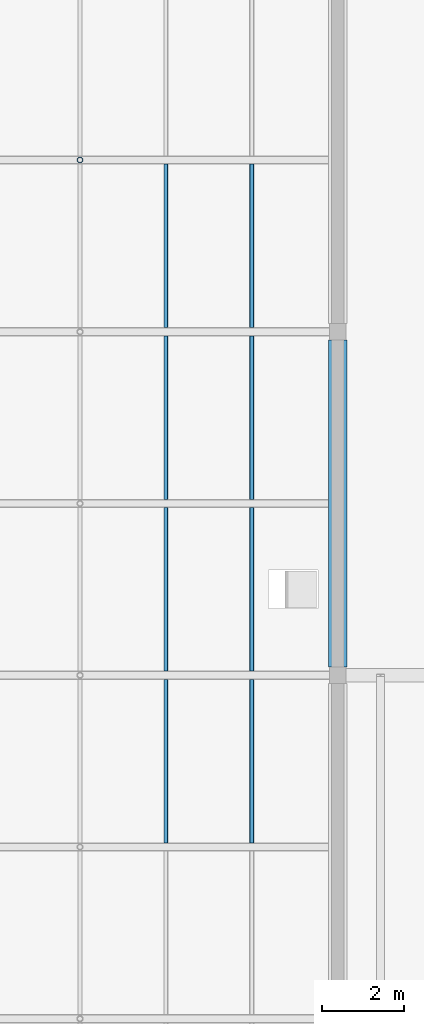
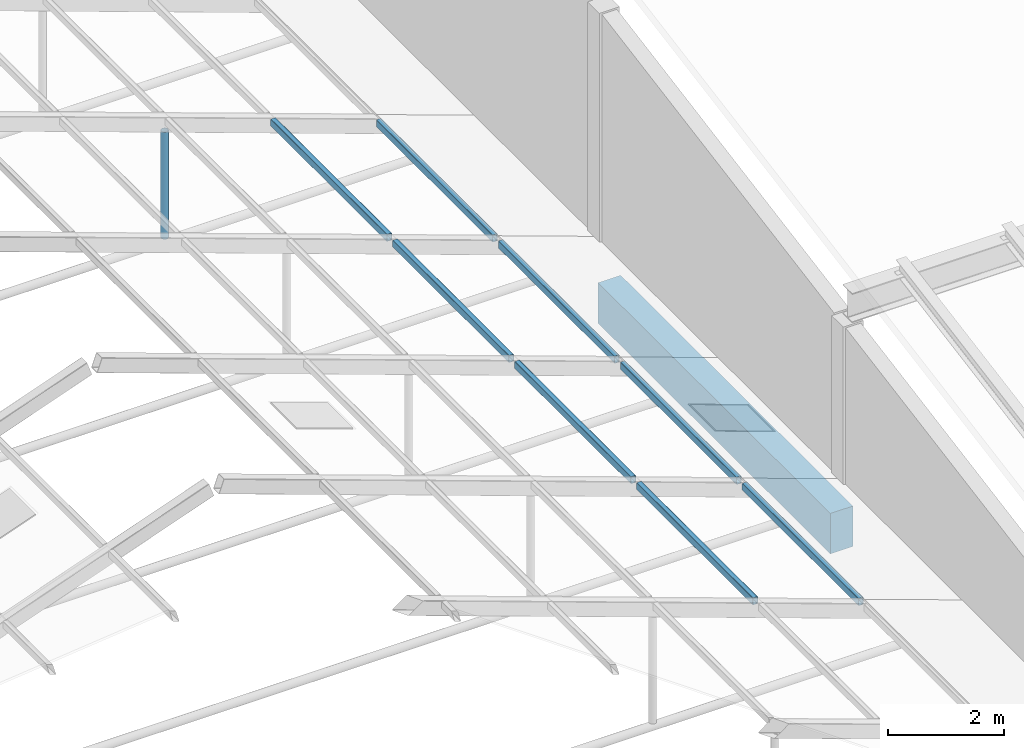
# One storey, part 52 of 116: 9 members, 1 beam.
"""IFC4 building model written with IfcOpenShell, lengths in metres."""

from ifc_helpers import new_model, si_unit, direction, frame, origin, origin_2d, place, context, subcontext, project, spatial, rectangle, hollow_rectangle, hollow_circle, extrude, material, material_profile, profile_set, type_object, element, save


model = new_model("IFC4")

# Units and contexts
model_context = context("Model", 3, precision=1e-05, world=origin(), true_north=direction((0.0, 1.0)))
body_context = subcontext(model_context, "Body", "Model", "MODEL_VIEW")
ifc_project = project(units=[si_unit("LENGTHUNIT", "METRE"), si_unit("AREAUNIT", "SQUARE_METRE"), si_unit("VOLUMEUNIT", "CUBIC_METRE"), si_unit("PLANEANGLEUNIT", "RADIAN"), si_unit("MASSUNIT", "GRAM", prefix="KILO")], contexts=[model_context])

# Site, building, storey
site_placement = place(None, origin())
site = spatial("IfcSite", under=ifc_project, at=site_placement, CompositionType="ELEMENT")
building_placement = place(site_placement, origin())
building = spatial("IfcBuilding", under=site, at=building_placement, Name="Fescue Hill Polytechnic", CompositionType="ELEMENT")
storey_placement = place(building_placement, frame((0.0, 0.0, 13.5)))
storey = spatial("IfcBuildingStorey", under=building, at=storey_placement, Name="L03", CompositionType="ELEMENT", Elevation=13.5)

# Beam
ifc_material_1 = material(Name="Concrete 35 MPa", Category="concrete")
ifc_material_profile_1 = material_profile(ifc_material_1, rectangle(XDim=0.449951171875, YDim=0.85009765625, at=origin_2d()), Name="RC 450x850")
ifc_profile_set_1 = profile_set([ifc_material_profile_1], Name="Concrete 35 MPa")
beam_type = type_object("IfcBeamType", Name="Beam RC 450x850", PredefinedType="BEAM", material=ifc_profile_set_1)
beam_placement = place(storey_placement, frame((117.60009765625, 75.39990234375, -0.425048828125), z_axis=(0.0, -1.0, 0.0), x_axis=(1.0, 0.0, 0.0)))
element("IfcBeam", 1, at=beam_placement, inside=storey, type_object=beam_type, Name="BM-L03-0142", PredefinedType="BEAM", context=body_context, shape_type="SweptSolid", body=[
    extrude(rectangle(XDim=0.449951171875, YDim=0.85009765625, at=origin_2d()), origin(), (0.0, 0.0, 1.0), 8.0),
])

# Members
ifc_material_2 = material(Name="Steel 350W (350 MPa)", Category="steel")
ifc_material_profile_2 = material_profile(ifc_material_2, hollow_rectangle(XDim=0.1015625, YDim=0.15234375, WallThickness=0.00634765625, InnerFilletRadius=0.00634765625, OuterFilletRadius=0.0126953125, at=origin_2d()), Name="Winter garden glazing purlin HSS 152x102x6.4")
ifc_profile_set_2 = profile_set([ifc_material_profile_2], Name="Steel 350W (350 MPa)")
member_type_1 = type_object("IfcMemberType", Name="Winter garden glazing purlin HSS 152x102x6.4", PredefinedType="PURLIN", material=ifc_profile_set_2)
for number, where, z_axis, x_axis, name in (
    (2, (115.5, 63.1015625, 1.41455078125), (0.0, 1.0, 0.0), (-1.0, 0.0, 0.0), "Winter garden glazing purlin E1 bay 4"),
    (3, (113.400146484375, 63.1015625, 2.164306640625), (0.0, 1.0, 0.0), (-1.0, 0.0, 0.0), "Winter garden glazing purlin E2 bay 4"),
    (4, (115.5, 67.301513671875, 1.41455078125), (0.0, 1.0, 0.0), (-1.0, 0.0, 0.0), "Winter garden glazing purlin E1 bay 5"),
    (5, (113.400146484375, 67.301513671875, 2.164306640625), (0.0, 1.0, 0.0), (-1.0, 0.0, 0.0), "Winter garden glazing purlin E2 bay 5"),
):
    element("IfcMember", number, at=place(storey_placement, frame(where, z_axis=z_axis, x_axis=x_axis)), inside=storey, type_object=member_type_1, Name=name, PredefinedType="PURLIN", context=body_context, shape_type="SweptSolid", body=[
        extrude(hollow_rectangle(XDim=0.1015625, YDim=0.15234375, WallThickness=0.00634765625, InnerFilletRadius=0.00634765625, OuterFilletRadius=0.0126953125, at=origin_2d()), origin(), (0.0, 0.0, 1.0), 3.996826171875),
    ])
for number, where, z_axis, x_axis, name in (
    (6, (115.5, 71.501708984375, 1.41455078125), (0.0, 1.0, 0.0), (-1.0, 0.0, 0.0), "Winter garden glazing purlin E1 bay 6"),
    (7, (113.400146484375, 71.501708984375, 2.164306640625), (0.0, 1.0, 0.0), (-1.0, 0.0, 0.0), "Winter garden glazing purlin E2 bay 6"),
):
    element("IfcMember", number, at=place(storey_placement, frame(where, z_axis=z_axis, x_axis=x_axis)), inside=storey, type_object=member_type_1, Name=name, PredefinedType="PURLIN", context=body_context, shape_type="SweptSolid", body=[
        extrude(hollow_rectangle(XDim=0.1015625, YDim=0.15234375, WallThickness=0.00634765625, InnerFilletRadius=0.00634765625, OuterFilletRadius=0.0126953125, at=origin_2d()), origin(), (0.0, 0.0, 1.0), 3.99658203125),
    ])
for number, where, z_axis, x_axis, name in (
    (8, (115.5, 75.70166015625, 1.41455078125), (0.0, 1.0, 0.0), (-1.0, 0.0, 0.0), "Winter garden glazing purlin E1 bay 7"),
    (9, (113.400146484375, 75.70166015625, 2.164306640625), (0.0, 1.0, 0.0), (-1.0, 0.0, 0.0), "Winter garden glazing purlin E2 bay 7"),
):
    element("IfcMember", number, at=place(storey_placement, frame(where, z_axis=z_axis, x_axis=x_axis)), inside=storey, type_object=member_type_1, Name=name, PredefinedType="PURLIN", context=body_context, shape_type="SweptSolid", body=[
        extrude(hollow_rectangle(XDim=0.1015625, YDim=0.15234375, WallThickness=0.00634765625, InnerFilletRadius=0.00634765625, OuterFilletRadius=0.0126953125, at=origin_2d()), origin(), (0.0, 0.0, 1.0), 3.996826171875),
    ])
ifc_material_profile_3 = material_profile(ifc_material_2, hollow_circle(Radius=0.070556640625, WallThickness=0.00634765625, at=origin_2d()), Name="Winter garden queen post CHS 141x6.4")
ifc_profile_set_3 = profile_set([ifc_material_profile_3], Name="Steel 350W (350 MPa)")
member_type_2 = type_object("IfcMemberType", Name="Winter garden queen post CHS 141x6.4", PredefinedType="POST", material=ifc_profile_set_3)
member_placement = place(storey_placement, frame((111.300048828125, 79.800048828125, 0.4169921875), z_axis=(0.0, 0.0, 1.0), x_axis=(1.0, 0.0, 0.0)))
element("IfcMember", 10, at=member_placement, inside=storey, type_object=member_type_2, Name="Winter garden queen post 8B", PredefinedType="POST", context=body_context, shape_type="SweptSolid", body=[
    extrude(hollow_circle(Radius=0.070556640625, WallThickness=0.00634765625, at=origin_2d()), origin(), (0.0, 0.0, 1.0), 2.25),
])

save(model, "model.ifc")
